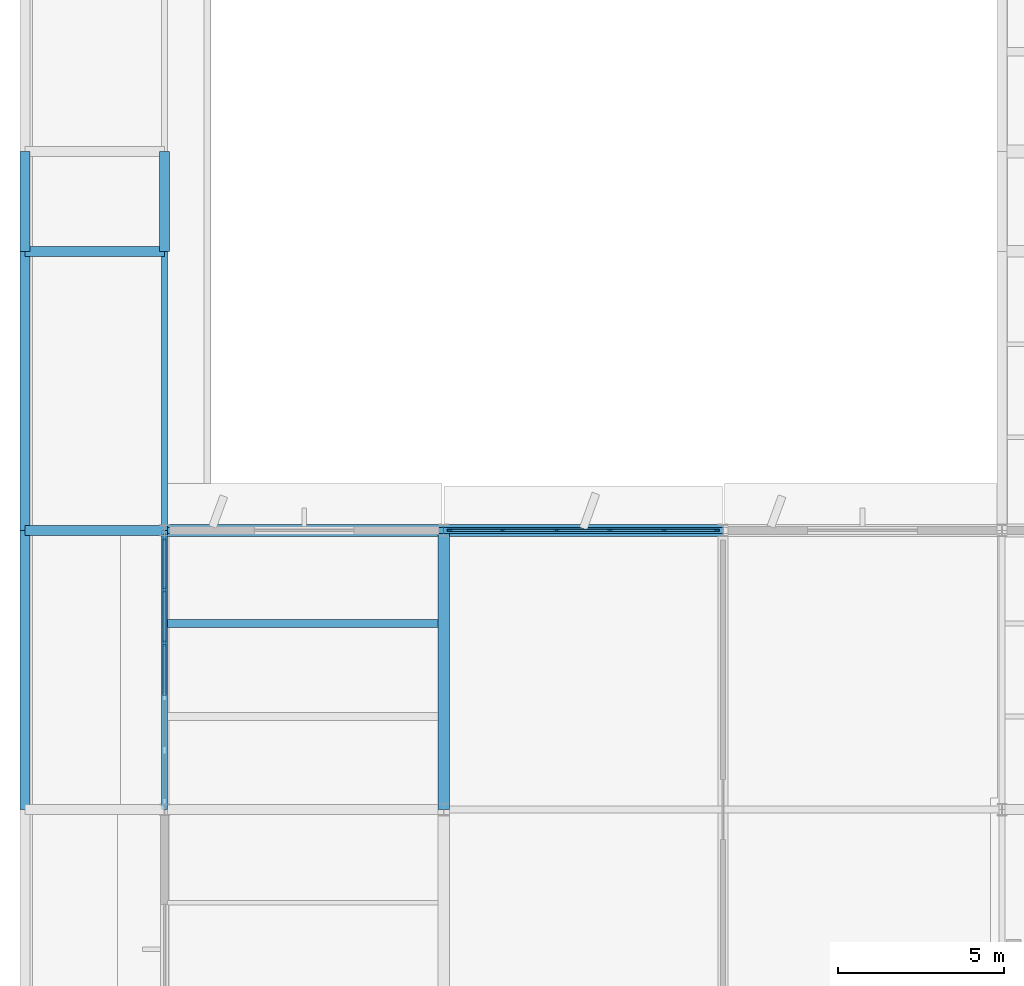
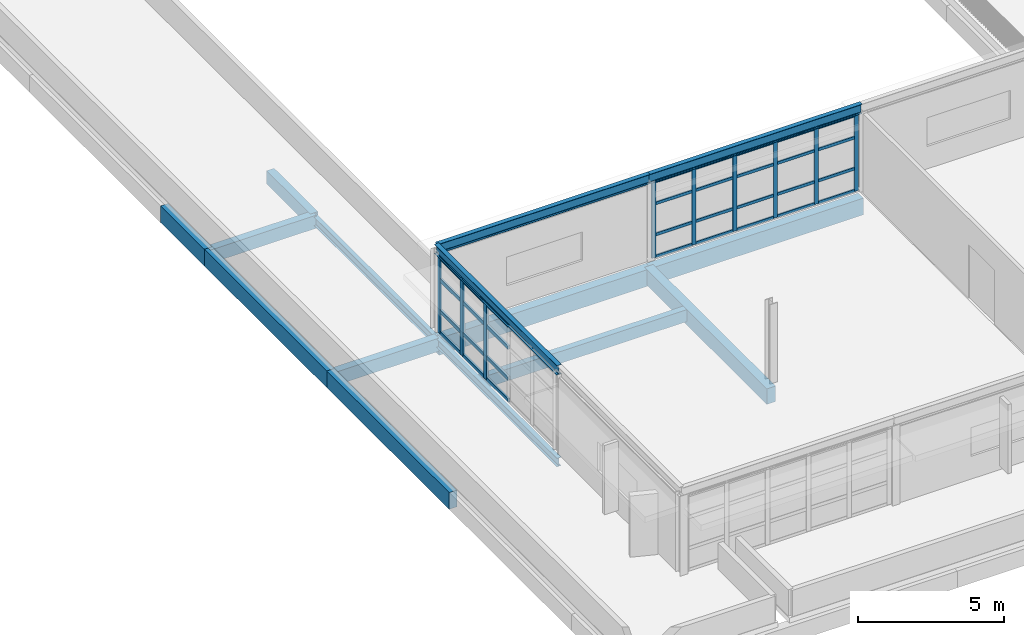
# One storey, part 6 of 92: 41 members, 15 beams, 2 elements without a shape of their own.
"""IFC4 building model written with IfcOpenShell, lengths in metres."""

import ifcopenshell
import ifcopenshell.guid

model = None  # the IFC model being written
_history = None  # IfcOwnerHistory: only IFC2X3 demands one
_inside = {}  # id of a spatial element -> (the spatial element, [elements in it])
_under = {}  # id of a project, library or spatial element -> (it, [spatial elements below it])
_declared = {}  # id of a project -> (the project, [libraries it declares])
_typed = {}  # id of a type object -> (the type object, [elements of that type])
_made_of = {}  # id of a material, layer set ... -> (it, [elements and type objects made of it])


def new_model(schema):
    """Start an empty IFC model of exactly this schema.

    Asked for "IFC4X3", IfcOpenShell would pick the latest addendum, in which some entities
    have other attributes; the version numbers below select the first issue.
    IFC2X3 requires an IfcOwnerHistory on every rooted entity: one is made here for all.
    """
    global model, _history
    if schema == "IFC4X3":
        model = ifcopenshell.file(schema_version=(4, 3, 0, 0))
    else:
        model = ifcopenshell.file(schema=schema)
    _inside.clear()
    _under.clear()
    _declared.clear()
    _typed.clear()
    _made_of.clear()
    _history = None
    if model.schema == "IFC2X3":
        org = make("IfcOrganization", Name="unknown")
        user = make(
            "IfcPersonAndOrganization",
            ThePerson=make("IfcPerson", FamilyName="unknown"),
            TheOrganization=org,
        )
        app = make(
            "IfcApplication",
            ApplicationDeveloper=org,
            Version="unknown",
            ApplicationFullName="unknown",
            ApplicationIdentifier="unknown",
        )
        _history = make(
            "IfcOwnerHistory",
            OwningUser=user,
            OwningApplication=app,
            ChangeAction="ADDED",
            CreationDate=0,
        )
    return model


def make(cls, **values):
    """One entity of the class cls with the attributes given. An attribute that is None is left unset."""
    return model.create_entity(
        cls, **{name: value for name, value in values.items() if value is not None}
    )


def rooted(cls, **values):
    """An entity with a GlobalId (a new one), such as an element, a storey or a relation."""
    return make(cls, GlobalId=ifcopenshell.guid.new(), OwnerHistory=_history, **values)


def si_unit(unit_type, name, prefix=None):
    """IfcSIUnit, for example si_unit("LENGTHUNIT", "METRE", prefix="MILLI")."""
    return make("IfcSIUnit", UnitType=unit_type, Prefix=prefix, Name=name)


def assignment(units):
    """IfcUnitAssignment: the units of a project."""
    return None if units is None else make("IfcUnitAssignment", Units=units)


def point(xyz):
    """IfcCartesianPoint."""
    return None if xyz is None else make("IfcCartesianPoint", Coordinates=xyz)


def direction(xyz):
    """IfcDirection."""
    return None if xyz is None else make("IfcDirection", DirectionRatios=xyz)


def frame(location, z_axis=None, x_axis=None):
    """IfcAxis2Placement3D, a coordinate frame: its origin and axes. An axis left out is left unset."""
    return make(
        "IfcAxis2Placement3D",
        Location=point(location),
        Axis=direction(z_axis),
        RefDirection=direction(x_axis),
    )


def frame_2d(location, x_axis=None):
    """IfcAxis2Placement2D, a coordinate frame in the plane: its origin and x axis."""
    return make(
        "IfcAxis2Placement2D", Location=point(location), RefDirection=direction(x_axis)
    )


def origin():
    """The frame at (0, 0, 0) with its axes left unset."""
    return frame((0.0, 0.0, 0.0))


def origin_2d():
    """The frame at (0, 0) in the plane with its x axis left unset."""
    return frame_2d((0.0, 0.0))


def place(relative_to, where):
    """IfcLocalPlacement: puts the frame where relative to a parent placement (None: the world)."""
    return make(
        "IfcLocalPlacement", PlacementRelTo=relative_to, RelativePlacement=where
    )


def context(
    kind, dimensions, precision=None, world=None, true_north=None, identifier=None
):
    """IfcGeometricRepresentationContext, for example the 3D "Model" context."""
    return make(
        "IfcGeometricRepresentationContext",
        ContextIdentifier=identifier,
        ContextType=kind,
        CoordinateSpaceDimension=dimensions,
        Precision=precision,
        WorldCoordinateSystem=world,
        TrueNorth=true_north,
    )


def subcontext(parent, identifier, kind, view, scale=None):
    """IfcGeometricRepresentationSubContext, for example "Body" below "Model"."""
    return make(
        "IfcGeometricRepresentationSubContext",
        ContextIdentifier=identifier,
        ContextType=kind,
        ParentContext=parent,
        TargetScale=scale,
        TargetView=view,
    )


def project(units=None, contexts=None):
    """IfcProject with its units and contexts."""
    return rooted(
        "IfcProject",
        Name="project",
        RepresentationContexts=contexts,
        UnitsInContext=assignment(units),
    )


def spatial(cls, under=None, at=None, **own):
    """A site, building, storey or space (cls), placed at a placement, below another one or the project."""
    s = rooted(cls, ObjectPlacement=at, **own)
    if under is not None:
        _under.setdefault(under.id(), (under, []))[1].append(s)
    return s


def profile(cls, at=None, kind="AREA", **sizes):
    """A parametric profile (cls). Its sizes go by their IFC names, for example OverallWidth=200.0."""
    return make(cls, ProfileType=kind, Position=at, **sizes)


def rectangle(**sizes):
    """IfcRectangleProfileDef."""
    return profile("IfcRectangleProfileDef", **sizes)


def i_section(**sizes):
    """IfcIShapeProfileDef."""
    return profile("IfcIShapeProfileDef", **sizes)


def extrude(swept, where, along, depth):
    """IfcExtrudedAreaSolid: the profile swept, set in the frame where, extruded along a direction by depth."""
    return make(
        "IfcExtrudedAreaSolid",
        SweptArea=swept,
        Position=where,
        ExtrudedDirection=direction(along),
        Depth=depth,
    )


def shape(context_of_items, identifier, shape_type, items):
    """IfcShapeRepresentation: the items that make up one representation, for example the "Body"."""
    return make(
        "IfcShapeRepresentation",
        ContextOfItems=context_of_items,
        RepresentationIdentifier=identifier,
        RepresentationType=shape_type,
        Items=items,
    )


def material(Name=None, Category=None):
    """IfcMaterial."""
    return make("IfcMaterial", Name=Name, Category=Category)


def material_profile(
    of_material, cross_section, Name=None, Category=None, Priority=None
):
    """IfcMaterialProfile: a cross section and its material."""
    return make(
        "IfcMaterialProfile",
        Name=Name,
        Material=of_material,
        Profile=cross_section,
        Priority=Priority,
        Category=Category,
    )


def profile_set(profiles, Name=None, composite=None):
    """IfcMaterialProfileSet."""
    return make(
        "IfcMaterialProfileSet",
        Name=Name,
        MaterialProfiles=profiles,
        CompositeProfile=composite,
    )


def made_of(thing, what):
    """Note that an element or type object is made of a material, layer set ...; save() writes the relation."""
    if what is not None:
        _made_of.setdefault(what.id(), (what, []))[1].append(thing)
    return thing


def type_object(cls, material=None, **own):
    """A type object (cls), such as IfcWallType, which elements share."""
    return made_of(rooted(cls, **own), material)


def element(
    cls,
    number,
    at=None,
    inside=None,
    cuts=None,
    type_object=None,
    material=None,
    context=None,
    identifier="Body",
    shape_type=None,
    held_by="IfcProductDefinitionShape",
    body=None,
    shapes=None,
    **own,
):
    """One element of the class cls, such as IfcWall. Its Tag is "e" and its number.

    at: its placement. inside: the storey or other place that contains it. cuts: it is an
    opening in that element (IfcRelVoidsElement). A single representation is given by context,
    identifier, shape_type and body (its items); several are given by shapes. held_by: the class
    of the entity that holds the representations. save() writes the other relations.
    """
    e = rooted(cls, Tag="e%d" % number, ObjectPlacement=at, **own)
    if body is not None:
        shapes = [shape(context, identifier, shape_type, body)]
    if shapes is not None:
        e.Representation = make(held_by, Representations=shapes)
    if inside is not None:
        _inside.setdefault(inside.id(), (inside, []))[1].append(e)
    if cuts is not None:
        rooted(
            "IfcRelVoidsElement", RelatingBuildingElement=cuts, RelatedOpeningElement=e
        )
    if type_object is not None:
        _typed.setdefault(type_object.id(), (type_object, []))[1].append(e)
    return made_of(e, material)


def aggregate(whole, parts):
    """IfcRelAggregates: a whole, such as a stair, and the parts it consists of."""
    return rooted("IfcRelAggregates", RelatingObject=whole, RelatedObjects=parts)


def save(model, path):
    """Write the relations noted so far, then the file.

    IfcRelAggregates (storeys below a building ...), IfcRelContainedInSpatialStructure (elements
    in a storey), IfcRelDefinesByType, IfcRelAssociatesMaterial and IfcRelDeclares: one each for
    every whole, place, type object, material and project.
    """
    for whole, parts in _under.values():
        aggregate(whole, parts)
    for where, things in _inside.values():
        rooted(
            "IfcRelContainedInSpatialStructure",
            RelatedElements=things,
            RelatingStructure=where,
        )
    for kind, things in _typed.values():
        rooted("IfcRelDefinesByType", RelatedObjects=things, RelatingType=kind)
    for what, things in _made_of.values():
        rooted("IfcRelAssociatesMaterial", RelatedObjects=things, RelatingMaterial=what)
    for by, libraries in _declared.values():
        rooted("IfcRelDeclares", RelatingContext=by, RelatedDefinitions=libraries)
    model.write(path)


model = new_model("IFC4")

# Units and contexts
model_context = context("Model", 3, precision=1e-05, world=origin(), true_north=direction((0.0, 1.0)))
body_context = subcontext(model_context, "Body", "Model", "MODEL_VIEW")
ifc_project = project(units=[si_unit("LENGTHUNIT", "METRE"), si_unit("AREAUNIT", "SQUARE_METRE"), si_unit("VOLUMEUNIT", "CUBIC_METRE"), si_unit("PLANEANGLEUNIT", "RADIAN"), si_unit("MASSUNIT", "GRAM", prefix="KILO")], contexts=[model_context])

# Site, building, storey
site_placement = place(None, origin())
site = spatial("IfcSite", under=ifc_project, at=site_placement, CompositionType="ELEMENT")
building_placement = place(site_placement, origin())
building = spatial("IfcBuilding", under=site, at=building_placement, Name="Vanh Quang Courtyard School", CompositionType="ELEMENT")
storey_placement = place(building_placement, frame((0.0, 0.0, 7.800048828125)))
storey = spatial("IfcBuildingStorey", under=building, at=storey_placement, Name="L02", CompositionType="ELEMENT", Elevation=7.800048828125)

# Beams
ifc_material_1 = material(Name="Concrete C35/45", Category="concrete")
ifc_material_profile_1 = material_profile(ifc_material_1, rectangle(XDim=0.300048828125, YDim=0.550048828125, at=origin_2d()), Name="RC-BM 300x550")
ifc_profile_set_1 = profile_set([ifc_material_profile_1], Name="Concrete C35/45")
beam_type_1 = type_object("IfcBeamType", Name="BM-RC-300x550", PredefinedType="BEAM", material=ifc_profile_set_1)
for number, where, z_axis, x_axis, name in (
    (1, (0.0, 21.0, -0.554931640625), (1.0, 0.0, 0.0), (0.0, 1.0, 0.0), "Beam B-07 (L02)"),
    (2, (0.0, 29.39990234375, -0.4951171875), (1.0, 0.0, 0.0), (0.0, 1.0, 0.0), "Beam B-07 (L02)"),
):
    element("IfcBeam", number, at=place(storey_placement, frame(where, z_axis=z_axis, x_axis=x_axis)), inside=storey, type_object=beam_type_1, Name=name, PredefinedType="BEAM", context=body_context, shape_type="SweptSolid", body=[
        extrude(rectangle(XDim=0.300048828125, YDim=0.550048828125, at=origin_2d()), origin(), (0.0, 0.0, 1.0), 4.199951171875),
    ])
beam_1_placement = place(storey_placement, frame((4.199951171875, 29.39990234375, -0.4951171875), z_axis=(0.0, 1.0, 0.0), x_axis=(-1.0, 0.0, 0.0)))
element("IfcBeam", 3, at=beam_1_placement, inside=storey, type_object=beam_type_1, Name="Beam B-07 (L02)", PredefinedType="BEAM", context=body_context, shape_type="SweptSolid", body=[
    extrude(rectangle(XDim=0.300048828125, YDim=0.550048828125, at=origin_2d()), origin(), (0.0, 0.0, 1.0), 3.0),
])
ifc_material_profile_2 = material_profile(ifc_material_1, rectangle(XDim=0.35009765625, YDim=0.64990234375, at=origin_2d()), Name="RC-BM 350x650")
ifc_profile_set_2 = profile_set([ifc_material_profile_2], Name="Concrete C35/45")
beam_type_2 = type_object("IfcBeamType", Name="BM-RC-350x650", PredefinedType="BEAM", material=ifc_profile_set_2)
beam_2_placement = place(storey_placement, frame((12.60009765625, 12.60009765625, -0.60498046875), z_axis=(0.0, 1.0, 0.0), x_axis=(-1.0, 0.0, 0.0)))
element("IfcBeam", 4, at=beam_2_placement, inside=storey, type_object=beam_type_2, Name="Beam B-05 (L02)", PredefinedType="BEAM", context=body_context, shape_type="SweptSolid", body=[
    extrude(rectangle(XDim=0.35009765625, YDim=0.64990234375, at=origin_2d()), origin(), (0.0, 0.0, 1.0), 8.39990234375),
])
ifc_material_profile_3 = material_profile(ifc_material_1, rectangle(XDim=0.35009765625, YDim=0.699951171875, at=origin_2d()), Name="RC-BM 350x700")
ifc_profile_set_3 = profile_set([ifc_material_profile_3], Name="Concrete C35/45")
beam_type_3 = type_object("IfcBeamType", Name="BM-RC-350x700", PredefinedType="BEAM", material=ifc_profile_set_3)
beam_3_placement = place(storey_placement, frame((4.199951171875, 21.0, -0.630126953125), z_axis=(1.0, 0.0, 0.0), x_axis=(0.0, 1.0, 0.0)))
element("IfcBeam", 5, at=beam_3_placement, inside=storey, type_object=beam_type_3, Name="Beam B-04 (L02)", PredefinedType="BEAM", context=body_context, shape_type="SweptSolid", body=[
    extrude(rectangle(XDim=0.35009765625, YDim=0.699951171875, at=origin_2d()), origin(), (0.0, 0.0, 1.0), 8.400146484375),
])
beam_4_placement = place(storey_placement, frame((12.60009765625, 21.0, -0.630126953125), z_axis=(1.0, 0.0, 0.0), x_axis=(0.0, 1.0, 0.0)))
element("IfcBeam", 6, at=beam_4_placement, inside=storey, type_object=beam_type_3, Name="Beam B-04 (L02)", PredefinedType="BEAM", context=body_context, shape_type="SweptSolid", body=[
    extrude(rectangle(XDim=0.35009765625, YDim=0.699951171875, at=origin_2d()), origin(), (0.0, 0.0, 1.0), 8.39990234375),
])
ifc_material_profile_4 = material_profile(ifc_material_1, rectangle(XDim=0.300048828125, YDim=0.699951171875, at=origin_2d()), Name="RC-SP 300x700")
ifc_profile_set_4 = profile_set([ifc_material_profile_4], Name="Concrete C35/45")
beam_type_4 = type_object("IfcBeamType", Name="BM-SP-300x700", PredefinedType="SPANDREL", material=ifc_profile_set_4)
for number, where, z_axis, x_axis, name in (
    (7, (0.0, 12.60009765625, -0.570068359375), (0.0, 1.0, 0.0), (-1.0, 0.0, 0.0), "Beam BS-01 (L02)"),
    (8, (0.0, 21.0, -0.570068359375), (0.0, 1.0, 0.0), (-1.0, 0.0, 0.0), "Beam BS-01 (L02)"),
):
    element("IfcBeam", number, at=place(storey_placement, frame(where, z_axis=z_axis, x_axis=x_axis)), inside=storey, type_object=beam_type_4, Name=name, PredefinedType="SPANDREL", context=body_context, shape_type="SweptSolid", body=[
        extrude(rectangle(XDim=0.300048828125, YDim=0.699951171875, at=origin_2d()), origin(), (0.0, 0.0, 1.0), 8.39990234375),
    ])
beam_5_placement = place(storey_placement, frame((0.0, 29.39990234375, -0.570068359375), z_axis=(0.0, 1.0, 0.0), x_axis=(-1.0, 0.0, 0.0)))
element("IfcBeam", 9, at=beam_5_placement, inside=storey, type_object=beam_type_4, Name="Beam BS-01 (L02)", PredefinedType="SPANDREL", context=body_context, shape_type="SweptSolid", body=[
    extrude(rectangle(XDim=0.300048828125, YDim=0.699951171875, at=origin_2d()), origin(), (0.0, 0.0, 1.0), 3.0),
])
ifc_material_2 = material(Name="Structural steel EN 10025-2 S355J2", Category="steel")
ifc_material_profile_5 = material_profile(ifc_material_2, i_section(OverallWidth=0.169921875, OverallDepth=0.360107421875, WebThickness=0.008056640625, FlangeThickness=0.0126953125, FilletRadius=0.01806640625, at=origin_2d()), Name="IPE 360")
ifc_profile_set_5 = profile_set([ifc_material_profile_5], Name="Structural steel EN 10025-2 S355J2")
beam_type_5 = type_object("IfcBeamType", Name="BM-STL-IPE360", PredefinedType="BEAM", material=ifc_profile_set_5)
for number, where, z_axis, x_axis, name in (
    (10, (4.199951171875, 12.60009765625, -0.4599609375), (0.0, 1.0, 0.0), (-1.0, 0.0, 0.0), "Beam SB-06 (L02)"),
    (11, (4.199951171875, 21.0, -0.4599609375), (0.0, 1.0, 0.0), (-1.0, 0.0, 0.0), "Beam SB-06 (L02)"),
):
    element("IfcBeam", number, at=place(storey_placement, frame(where, z_axis=z_axis, x_axis=x_axis)), inside=storey, type_object=beam_type_5, Name=name, PredefinedType="BEAM", context=body_context, shape_type="SweptSolid", body=[
        extrude(i_section(OverallWidth=0.169921875, OverallDepth=0.360107421875, WebThickness=0.008056640625, FlangeThickness=0.0126953125, FilletRadius=0.01806640625, at=origin_2d()), origin(), (0.0, 0.0, 1.0), 8.39990234375),
    ])
ifc_material_profile_6 = material_profile(ifc_material_2, i_section(OverallWidth=0.179931640625, OverallDepth=0.39990234375, WebThickness=0.008544921875, FlangeThickness=0.013427734375, FilletRadius=0.02099609375, at=origin_2d()), Name="IPE 400")
ifc_profile_set_6 = profile_set([ifc_material_profile_6], Name="Structural steel EN 10025-2 S355J2")
beam_type_6 = type_object("IfcBeamType", Name="BM-STL-IPE400", PredefinedType="BEAM", material=ifc_profile_set_6)
beam_6_placement = place(storey_placement, frame((4.199951171875, 21.0, 3.39990234375), z_axis=(1.0, 0.0, 0.0), x_axis=(0.0, 1.0, 0.0)))
element("IfcBeam", 12, at=beam_6_placement, inside=storey, type_object=beam_type_6, Name="Beam SB-05 (L02)", PredefinedType="BEAM", context=body_context, shape_type="SweptSolid", body=[
    extrude(i_section(OverallWidth=0.179931640625, OverallDepth=0.39990234375, WebThickness=0.008544921875, FlangeThickness=0.013427734375, FilletRadius=0.02099609375, at=origin_2d()), origin(), (0.0, 0.0, 1.0), 8.400146484375),
])
for number, where, z_axis, x_axis, name in (
    (13, (12.60009765625, 21.0, 3.39990234375), (1.0, 0.0, 0.0), (0.0, 1.0, 0.0), "Beam SB-05 (L02)"),
    (14, (4.199951171875, 12.60009765625, 3.39990234375), (0.0, 1.0, 0.0), (-1.0, 0.0, 0.0), "Beam SB-05 (L02)"),
):
    element("IfcBeam", number, at=place(storey_placement, frame(where, z_axis=z_axis, x_axis=x_axis)), inside=storey, type_object=beam_type_6, Name=name, PredefinedType="BEAM", context=body_context, shape_type="SweptSolid", body=[
        extrude(i_section(OverallWidth=0.179931640625, OverallDepth=0.39990234375, WebThickness=0.008544921875, FlangeThickness=0.013427734375, FilletRadius=0.02099609375, at=origin_2d()), origin(), (0.0, 0.0, 1.0), 8.39990234375),
    ])

# Curtain wall, members
ifc_material_3 = material(Name="Thermally broken aluminium unitised curtain wall", Category="aluminium")
curtain_wall_type = type_object("IfcCurtainWallType", Name="CW-SYS-46", PredefinedType="NOTDEFINED", material=ifc_material_3)
curtain_wall_1_placement = place(storey_placement, origin())
curtain_wall_1 = element("IfcCurtainWall", 15, at=curtain_wall_1_placement, inside=storey, type_object=curtain_wall_type, Name="Curtain Wall CW-46 (L02)", PredefinedType="NOTDEFINED")
ifc_material_4 = material(Name="Anodised aluminium 6063-T6", Category="aluminium")
ifc_material_profile_7 = material_profile(ifc_material_4, rectangle(XDim=0.06005859375, YDim=0.159912109375, at=origin_2d()), Name="ALU-MUL 60x160")
ifc_profile_set_7 = profile_set([ifc_material_profile_7], Name="Anodised aluminium 6063-T6")
member_type_1 = type_object("IfcMemberType", Name="CW-MUL-60x160", PredefinedType="MULLION", material=ifc_profile_set_7)
member_1_placement = place(storey_placement, frame((12.7880859375, 21.0, 0.0), z_axis=(0.0, 0.0, 1.0), x_axis=(0.0, 1.0, 0.0)))
member_1 = element("IfcMember", 16, at=member_1_placement, type_object=member_type_1, Name="CW-46 mullion 1", PredefinedType="MULLION", context=body_context, shape_type="SweptSolid", body=[
    extrude(rectangle(XDim=0.06005859375, YDim=0.159912109375, at=origin_2d()), origin(), (0.0, 0.0, 1.0), 3.199951171875),
])
member_2_placement = place(storey_placement, frame((14.374755859375, 21.0, 0.0), z_axis=(0.0, 0.0, 1.0), x_axis=(0.0, 1.0, 0.0)))
member_2 = element("IfcMember", 17, at=member_2_placement, type_object=member_type_1, Name="CW-46 mullion 2", PredefinedType="MULLION", context=body_context, shape_type="SweptSolid", body=[
    extrude(rectangle(XDim=0.06005859375, YDim=0.159912109375, at=origin_2d()), origin(), (0.0, 0.0, 1.0), 3.199951171875),
])
member_3_placement = place(storey_placement, frame((15.99169921875, 21.0, 0.0), z_axis=(0.0, 0.0, 1.0), x_axis=(0.0, 1.0, 0.0)))
member_3 = element("IfcMember", 18, at=member_3_placement, type_object=member_type_1, Name="CW-46 mullion 3", PredefinedType="MULLION", context=body_context, shape_type="SweptSolid", body=[
    extrude(rectangle(XDim=0.06005859375, YDim=0.159912109375, at=origin_2d()), origin(), (0.0, 0.0, 1.0), 3.199951171875),
])
member_4_placement = place(storey_placement, frame((17.6083984375, 21.0, 0.0), z_axis=(0.0, 0.0, 1.0), x_axis=(0.0, 1.0, 0.0)))
member_4 = element("IfcMember", 19, at=member_4_placement, type_object=member_type_1, Name="CW-46 mullion 4", PredefinedType="MULLION", context=body_context, shape_type="SweptSolid", body=[
    extrude(rectangle(XDim=0.06005859375, YDim=0.159912109375, at=origin_2d()), origin(), (0.0, 0.0, 1.0), 3.199951171875),
])
member_5_placement = place(storey_placement, frame((19.22509765625, 21.0, 0.0), z_axis=(0.0, 0.0, 1.0), x_axis=(0.0, 1.0, 0.0)))
member_5 = element("IfcMember", 20, at=member_5_placement, type_object=member_type_1, Name="CW-46 mullion 5", PredefinedType="MULLION", context=body_context, shape_type="SweptSolid", body=[
    extrude(rectangle(XDim=0.06005859375, YDim=0.159912109375, at=origin_2d()), origin(), (0.0, 0.0, 1.0), 3.199951171875),
])
member_6_placement = place(storey_placement, frame((20.81201171875, 21.0, 0.0), z_axis=(0.0, 0.0, 1.0), x_axis=(0.0, 1.0, 0.0)))
member_6 = element("IfcMember", 21, at=member_6_placement, type_object=member_type_1, Name="CW-46 mullion 6", PredefinedType="MULLION", context=body_context, shape_type="SweptSolid", body=[
    extrude(rectangle(XDim=0.06005859375, YDim=0.159912109375, at=origin_2d()), origin(), (0.0, 0.0, 1.0), 3.199951171875),
])

curtain_wall_2_placement = place(storey_placement, origin())
curtain_wall_2 = element("IfcCurtainWall", 22, at=curtain_wall_2_placement, inside=storey, type_object=curtain_wall_type, Name="Curtain Wall CW-46 (L02)", PredefinedType="NOTDEFINED")
ifc_material_profile_8 = material_profile(ifc_material_4, rectangle(XDim=0.080078125, YDim=0.199951171875, at=origin_2d()), Name="ALU-MUL 80x200")
ifc_profile_set_8 = profile_set([ifc_material_profile_8], Name="Anodised aluminium 6063-T6")
member_type_2 = type_object("IfcMemberType", Name="CW-MUL-80x200", PredefinedType="MULLION", material=ifc_profile_set_8)
member_7_placement = place(storey_placement, frame((4.199951171875, 17.60546875, 0.0), z_axis=(0.0, 0.0, 1.0), x_axis=(-1.0, 0.0, 0.0)))
member_7 = element("IfcMember", 23, at=member_7_placement, type_object=member_type_2, Name="CW-46 mullion 4", PredefinedType="MULLION", context=body_context, shape_type="SweptSolid", body=[
    extrude(rectangle(XDim=0.080078125, YDim=0.199951171875, at=origin_2d()), origin(), (0.0, 0.0, 1.0), 3.199951171875),
])
member_8_placement = place(storey_placement, frame((4.199951171875, 19.21630859375, 0.0), z_axis=(0.0, 0.0, 1.0), x_axis=(-1.0, 0.0, 0.0)))
member_8 = element("IfcMember", 24, at=member_8_placement, type_object=member_type_2, Name="CW-46 mullion 5", PredefinedType="MULLION", context=body_context, shape_type="SweptSolid", body=[
    extrude(rectangle(XDim=0.080078125, YDim=0.199951171875, at=origin_2d()), origin(), (0.0, 0.0, 1.0), 3.199951171875),
])
member_9_placement = place(storey_placement, frame((4.199951171875, 20.787109375, 0.0), z_axis=(0.0, 0.0, 1.0), x_axis=(-1.0, 0.0, 0.0)))
member_9 = element("IfcMember", 25, at=member_9_placement, type_object=member_type_2, Name="CW-46 mullion 6", PredefinedType="MULLION", context=body_context, shape_type="SweptSolid", body=[
    extrude(rectangle(XDim=0.080078125, YDim=0.199951171875, at=origin_2d()), origin(), (0.0, 0.0, 1.0), 3.199951171875),
])

# Member
ifc_material_profile_9 = material_profile(ifc_material_4, rectangle(XDim=0.06005859375, YDim=0.1201171875, at=origin_2d()), Name="ALU-TRN 60x120")
ifc_profile_set_9 = profile_set([ifc_material_profile_9], Name="Anodised aluminium 6063-T6")
member_type_3 = type_object("IfcMemberType", Name="CW-TRN-60x120", PredefinedType="USERDEFINED", material=ifc_profile_set_9)
member_10_placement = place(storey_placement, frame((12.818115234375, 21.0, 0.030029296875), z_axis=(1.0, 0.0, 0.0), x_axis=(0.0, 1.0, 0.0)))
member_10 = element("IfcMember", 26, at=member_10_placement, type_object=member_type_3, Name="CW-46 transom 1.1", ObjectType="TRANSOM", PredefinedType="USERDEFINED", context=body_context, shape_type="SweptSolid", body=[
    extrude(rectangle(XDim=0.06005859375, YDim=0.1201171875, at=origin_2d()), origin(), (0.0, 0.0, 1.0), 1.526611328125),
])

member_11_placement = place(storey_placement, frame((12.818115234375, 21.0, 0.949951171875), z_axis=(1.0, 0.0, 0.0), x_axis=(0.0, 1.0, 0.0)))
member_11 = element("IfcMember", 27, at=member_11_placement, type_object=member_type_3, Name="CW-46 transom 1.2", ObjectType="TRANSOM", PredefinedType="USERDEFINED", context=body_context, shape_type="SweptSolid", body=[
    extrude(rectangle(XDim=0.06005859375, YDim=0.1201171875, at=origin_2d()), origin(), (0.0, 0.0, 1.0), 1.526611328125),
])

member_12_placement = place(storey_placement, frame((12.818115234375, 21.0, 2.25), z_axis=(1.0, 0.0, 0.0), x_axis=(0.0, 1.0, 0.0)))
member_12 = element("IfcMember", 28, at=member_12_placement, type_object=member_type_3, Name="CW-46 transom 1.3", ObjectType="TRANSOM", PredefinedType="USERDEFINED", context=body_context, shape_type="SweptSolid", body=[
    extrude(rectangle(XDim=0.06005859375, YDim=0.1201171875, at=origin_2d()), origin(), (0.0, 0.0, 1.0), 1.526611328125),
])

member_13_placement = place(storey_placement, frame((12.818115234375, 21.0, 3.169921875), z_axis=(1.0, 0.0, 0.0), x_axis=(0.0, 1.0, 0.0)))
member_13 = element("IfcMember", 29, at=member_13_placement, type_object=member_type_3, Name="CW-46 transom 1.4", ObjectType="TRANSOM", PredefinedType="USERDEFINED", context=body_context, shape_type="SweptSolid", body=[
    extrude(rectangle(XDim=0.06005859375, YDim=0.1201171875, at=origin_2d()), origin(), (0.0, 0.0, 1.0), 1.526611328125),
])

member_14_placement = place(storey_placement, frame((14.40478515625, 21.0, 0.030029296875), z_axis=(1.0, 0.0, 0.0), x_axis=(0.0, 1.0, 0.0)))
member_14 = element("IfcMember", 30, at=member_14_placement, type_object=member_type_3, Name="CW-46 transom 2.1", ObjectType="TRANSOM", PredefinedType="USERDEFINED", context=body_context, shape_type="SweptSolid", body=[
    extrude(rectangle(XDim=0.06005859375, YDim=0.1201171875, at=origin_2d()), origin(), (0.0, 0.0, 1.0), 1.556884765625),
])

member_15_placement = place(storey_placement, frame((14.40478515625, 21.0, 0.949951171875), z_axis=(1.0, 0.0, 0.0), x_axis=(0.0, 1.0, 0.0)))
member_15 = element("IfcMember", 31, at=member_15_placement, type_object=member_type_3, Name="CW-46 transom 2.2", ObjectType="TRANSOM", PredefinedType="USERDEFINED", context=body_context, shape_type="SweptSolid", body=[
    extrude(rectangle(XDim=0.06005859375, YDim=0.1201171875, at=origin_2d()), origin(), (0.0, 0.0, 1.0), 1.556884765625),
])

member_16_placement = place(storey_placement, frame((14.40478515625, 21.0, 2.25), z_axis=(1.0, 0.0, 0.0), x_axis=(0.0, 1.0, 0.0)))
member_16 = element("IfcMember", 32, at=member_16_placement, type_object=member_type_3, Name="CW-46 transom 2.3", ObjectType="TRANSOM", PredefinedType="USERDEFINED", context=body_context, shape_type="SweptSolid", body=[
    extrude(rectangle(XDim=0.06005859375, YDim=0.1201171875, at=origin_2d()), origin(), (0.0, 0.0, 1.0), 1.556884765625),
])

member_17_placement = place(storey_placement, frame((14.40478515625, 21.0, 3.169921875), z_axis=(1.0, 0.0, 0.0), x_axis=(0.0, 1.0, 0.0)))
member_17 = element("IfcMember", 33, at=member_17_placement, type_object=member_type_3, Name="CW-46 transom 2.4", ObjectType="TRANSOM", PredefinedType="USERDEFINED", context=body_context, shape_type="SweptSolid", body=[
    extrude(rectangle(XDim=0.06005859375, YDim=0.1201171875, at=origin_2d()), origin(), (0.0, 0.0, 1.0), 1.556884765625),
])

member_18_placement = place(storey_placement, frame((16.021484375, 21.0, 0.030029296875), z_axis=(1.0, 0.0, 0.0), x_axis=(0.0, 1.0, 0.0)))
member_18 = element("IfcMember", 34, at=member_18_placement, type_object=member_type_3, Name="CW-46 transom 3.1", ObjectType="TRANSOM", PredefinedType="USERDEFINED", context=body_context, shape_type="SweptSolid", body=[
    extrude(rectangle(XDim=0.06005859375, YDim=0.1201171875, at=origin_2d()), origin(), (0.0, 0.0, 1.0), 1.556884765625),
])

member_19_placement = place(storey_placement, frame((16.021484375, 21.0, 0.949951171875), z_axis=(1.0, 0.0, 0.0), x_axis=(0.0, 1.0, 0.0)))
member_19 = element("IfcMember", 35, at=member_19_placement, type_object=member_type_3, Name="CW-46 transom 3.2", ObjectType="TRANSOM", PredefinedType="USERDEFINED", context=body_context, shape_type="SweptSolid", body=[
    extrude(rectangle(XDim=0.06005859375, YDim=0.1201171875, at=origin_2d()), origin(), (0.0, 0.0, 1.0), 1.556884765625),
])

member_20_placement = place(storey_placement, frame((16.021484375, 21.0, 2.25), z_axis=(1.0, 0.0, 0.0), x_axis=(0.0, 1.0, 0.0)))
member_20 = element("IfcMember", 36, at=member_20_placement, type_object=member_type_3, Name="CW-46 transom 3.3", ObjectType="TRANSOM", PredefinedType="USERDEFINED", context=body_context, shape_type="SweptSolid", body=[
    extrude(rectangle(XDim=0.06005859375, YDim=0.1201171875, at=origin_2d()), origin(), (0.0, 0.0, 1.0), 1.556884765625),
])

member_21_placement = place(storey_placement, frame((16.021484375, 21.0, 3.169921875), z_axis=(1.0, 0.0, 0.0), x_axis=(0.0, 1.0, 0.0)))
member_21 = element("IfcMember", 37, at=member_21_placement, type_object=member_type_3, Name="CW-46 transom 3.4", ObjectType="TRANSOM", PredefinedType="USERDEFINED", context=body_context, shape_type="SweptSolid", body=[
    extrude(rectangle(XDim=0.06005859375, YDim=0.1201171875, at=origin_2d()), origin(), (0.0, 0.0, 1.0), 1.556884765625),
])

member_22_placement = place(storey_placement, frame((17.638427734375, 21.0, 0.030029296875), z_axis=(1.0, 0.0, 0.0), x_axis=(0.0, 1.0, 0.0)))
member_22 = element("IfcMember", 38, at=member_22_placement, type_object=member_type_3, Name="CW-46 transom 4.1", ObjectType="TRANSOM", PredefinedType="USERDEFINED", context=body_context, shape_type="SweptSolid", body=[
    extrude(rectangle(XDim=0.06005859375, YDim=0.1201171875, at=origin_2d()), origin(), (0.0, 0.0, 1.0), 1.556884765625),
])

member_23_placement = place(storey_placement, frame((17.638427734375, 21.0, 0.949951171875), z_axis=(1.0, 0.0, 0.0), x_axis=(0.0, 1.0, 0.0)))
member_23 = element("IfcMember", 39, at=member_23_placement, type_object=member_type_3, Name="CW-46 transom 4.2", ObjectType="TRANSOM", PredefinedType="USERDEFINED", context=body_context, shape_type="SweptSolid", body=[
    extrude(rectangle(XDim=0.06005859375, YDim=0.1201171875, at=origin_2d()), origin(), (0.0, 0.0, 1.0), 1.556884765625),
])

member_24_placement = place(storey_placement, frame((17.638427734375, 21.0, 2.25), z_axis=(1.0, 0.0, 0.0), x_axis=(0.0, 1.0, 0.0)))
member_24 = element("IfcMember", 40, at=member_24_placement, type_object=member_type_3, Name="CW-46 transom 4.3", ObjectType="TRANSOM", PredefinedType="USERDEFINED", context=body_context, shape_type="SweptSolid", body=[
    extrude(rectangle(XDim=0.06005859375, YDim=0.1201171875, at=origin_2d()), origin(), (0.0, 0.0, 1.0), 1.556884765625),
])

member_25_placement = place(storey_placement, frame((17.638427734375, 21.0, 3.169921875), z_axis=(1.0, 0.0, 0.0), x_axis=(0.0, 1.0, 0.0)))
member_25 = element("IfcMember", 41, at=member_25_placement, type_object=member_type_3, Name="CW-46 transom 4.4", ObjectType="TRANSOM", PredefinedType="USERDEFINED", context=body_context, shape_type="SweptSolid", body=[
    extrude(rectangle(XDim=0.06005859375, YDim=0.1201171875, at=origin_2d()), origin(), (0.0, 0.0, 1.0), 1.556884765625),
])

member_26_placement = place(storey_placement, frame((19.255126953125, 21.0, 0.030029296875), z_axis=(1.0, 0.0, 0.0), x_axis=(0.0, 1.0, 0.0)))
member_26 = element("IfcMember", 42, at=member_26_placement, type_object=member_type_3, Name="CW-46 transom 5.1", ObjectType="TRANSOM", PredefinedType="USERDEFINED", context=body_context, shape_type="SweptSolid", body=[
    extrude(rectangle(XDim=0.06005859375, YDim=0.1201171875, at=origin_2d()), origin(), (0.0, 0.0, 1.0), 1.52685546875),
])

member_27_placement = place(storey_placement, frame((19.255126953125, 21.0, 0.949951171875), z_axis=(1.0, 0.0, 0.0), x_axis=(0.0, 1.0, 0.0)))
member_27 = element("IfcMember", 43, at=member_27_placement, type_object=member_type_3, Name="CW-46 transom 5.2", ObjectType="TRANSOM", PredefinedType="USERDEFINED", context=body_context, shape_type="SweptSolid", body=[
    extrude(rectangle(XDim=0.06005859375, YDim=0.1201171875, at=origin_2d()), origin(), (0.0, 0.0, 1.0), 1.52685546875),
])

member_28_placement = place(storey_placement, frame((19.255126953125, 21.0, 2.25), z_axis=(1.0, 0.0, 0.0), x_axis=(0.0, 1.0, 0.0)))
member_28 = element("IfcMember", 44, at=member_28_placement, type_object=member_type_3, Name="CW-46 transom 5.3", ObjectType="TRANSOM", PredefinedType="USERDEFINED", context=body_context, shape_type="SweptSolid", body=[
    extrude(rectangle(XDim=0.06005859375, YDim=0.1201171875, at=origin_2d()), origin(), (0.0, 0.0, 1.0), 1.52685546875),
])

member_29_placement = place(storey_placement, frame((19.255126953125, 21.0, 3.169921875), z_axis=(1.0, 0.0, 0.0), x_axis=(0.0, 1.0, 0.0)))
member_29 = element("IfcMember", 45, at=member_29_placement, type_object=member_type_3, Name="CW-46 transom 5.4", ObjectType="TRANSOM", PredefinedType="USERDEFINED", context=body_context, shape_type="SweptSolid", body=[
    extrude(rectangle(XDim=0.06005859375, YDim=0.1201171875, at=origin_2d()), origin(), (0.0, 0.0, 1.0), 1.52685546875),
])

aggregate(curtain_wall_1, [member_1, member_2, member_3, member_4, member_5, member_6, member_10, member_11, member_12, member_13, member_14, member_15, member_16, member_17, member_18, member_19, member_20, member_21, member_22, member_23, member_24, member_25, member_26, member_27, member_28, member_29])

ifc_material_profile_10 = material_profile(ifc_material_4, rectangle(XDim=0.080078125, YDim=0.14990234375, at=origin_2d()), Name="ALU-TRN 80x150")
ifc_profile_set_10 = profile_set([ifc_material_profile_10], Name="Anodised aluminium 6063-T6")
member_type_4 = type_object("IfcMemberType", Name="CW-TRN-80x150", PredefinedType="USERDEFINED", material=ifc_profile_set_10)
member_30_placement = place(storey_placement, frame((4.199951171875, 16.03466796875, 0.0400390625), z_axis=(0.0, 1.0, 0.0), x_axis=(-1.0, 0.0, 0.0)))
member_30 = element("IfcMember", 46, at=member_30_placement, type_object=member_type_4, Name="CW-46 transom 3.1", ObjectType="TRANSOM", PredefinedType="USERDEFINED", context=body_context, shape_type="SweptSolid", body=[
    extrude(rectangle(XDim=0.080078125, YDim=0.14990234375, at=origin_2d()), origin(), (0.0, 0.0, 1.0), 1.53076171875),
])

member_31_placement = place(storey_placement, frame((4.199951171875, 16.03466796875, 0.949951171875), z_axis=(0.0, 1.0, 0.0), x_axis=(-1.0, 0.0, 0.0)))
member_31 = element("IfcMember", 47, at=member_31_placement, type_object=member_type_4, Name="CW-46 transom 3.2", ObjectType="TRANSOM", PredefinedType="USERDEFINED", context=body_context, shape_type="SweptSolid", body=[
    extrude(rectangle(XDim=0.080078125, YDim=0.14990234375, at=origin_2d()), origin(), (0.0, 0.0, 1.0), 1.53076171875),
])

member_32_placement = place(storey_placement, frame((4.199951171875, 16.03466796875, 2.25), z_axis=(0.0, 1.0, 0.0), x_axis=(-1.0, 0.0, 0.0)))
member_32 = element("IfcMember", 48, at=member_32_placement, type_object=member_type_4, Name="CW-46 transom 3.3", ObjectType="TRANSOM", PredefinedType="USERDEFINED", context=body_context, shape_type="SweptSolid", body=[
    extrude(rectangle(XDim=0.080078125, YDim=0.14990234375, at=origin_2d()), origin(), (0.0, 0.0, 1.0), 1.53076171875),
])

member_33_placement = place(storey_placement, frame((4.199951171875, 16.03466796875, 3.159912109375), z_axis=(0.0, 1.0, 0.0), x_axis=(-1.0, 0.0, 0.0)))
member_33 = element("IfcMember", 49, at=member_33_placement, type_object=member_type_4, Name="CW-46 transom 3.4", ObjectType="TRANSOM", PredefinedType="USERDEFINED", context=body_context, shape_type="SweptSolid", body=[
    extrude(rectangle(XDim=0.080078125, YDim=0.14990234375, at=origin_2d()), origin(), (0.0, 0.0, 1.0), 1.53076171875),
])

member_34_placement = place(storey_placement, frame((4.199951171875, 17.6455078125, 0.0400390625), z_axis=(0.0, 1.0, 0.0), x_axis=(-1.0, 0.0, 0.0)))
member_34 = element("IfcMember", 50, at=member_34_placement, type_object=member_type_4, Name="CW-46 transom 4.1", ObjectType="TRANSOM", PredefinedType="USERDEFINED", context=body_context, shape_type="SweptSolid", body=[
    extrude(rectangle(XDim=0.080078125, YDim=0.14990234375, at=origin_2d()), origin(), (0.0, 0.0, 1.0), 1.53076171875),
])

member_35_placement = place(storey_placement, frame((4.199951171875, 17.6455078125, 0.949951171875), z_axis=(0.0, 1.0, 0.0), x_axis=(-1.0, 0.0, 0.0)))
member_35 = element("IfcMember", 51, at=member_35_placement, type_object=member_type_4, Name="CW-46 transom 4.2", ObjectType="TRANSOM", PredefinedType="USERDEFINED", context=body_context, shape_type="SweptSolid", body=[
    extrude(rectangle(XDim=0.080078125, YDim=0.14990234375, at=origin_2d()), origin(), (0.0, 0.0, 1.0), 1.53076171875),
])

member_36_placement = place(storey_placement, frame((4.199951171875, 17.6455078125, 2.25), z_axis=(0.0, 1.0, 0.0), x_axis=(-1.0, 0.0, 0.0)))
member_36 = element("IfcMember", 52, at=member_36_placement, type_object=member_type_4, Name="CW-46 transom 4.3", ObjectType="TRANSOM", PredefinedType="USERDEFINED", context=body_context, shape_type="SweptSolid", body=[
    extrude(rectangle(XDim=0.080078125, YDim=0.14990234375, at=origin_2d()), origin(), (0.0, 0.0, 1.0), 1.53076171875),
])

member_37_placement = place(storey_placement, frame((4.199951171875, 17.6455078125, 3.159912109375), z_axis=(0.0, 1.0, 0.0), x_axis=(-1.0, 0.0, 0.0)))
member_37 = element("IfcMember", 53, at=member_37_placement, type_object=member_type_4, Name="CW-46 transom 4.4", ObjectType="TRANSOM", PredefinedType="USERDEFINED", context=body_context, shape_type="SweptSolid", body=[
    extrude(rectangle(XDim=0.080078125, YDim=0.14990234375, at=origin_2d()), origin(), (0.0, 0.0, 1.0), 1.53076171875),
])

member_38_placement = place(storey_placement, frame((4.199951171875, 19.256103515625, 0.0400390625), z_axis=(0.0, 1.0, 0.0), x_axis=(-1.0, 0.0, 0.0)))
member_38 = element("IfcMember", 54, at=member_38_placement, type_object=member_type_4, Name="CW-46 transom 5.1", ObjectType="TRANSOM", PredefinedType="USERDEFINED", context=body_context, shape_type="SweptSolid", body=[
    extrude(rectangle(XDim=0.080078125, YDim=0.14990234375, at=origin_2d()), origin(), (0.0, 0.0, 1.0), 1.490966796875),
])

member_39_placement = place(storey_placement, frame((4.199951171875, 19.256103515625, 0.949951171875), z_axis=(0.0, 1.0, 0.0), x_axis=(-1.0, 0.0, 0.0)))
member_39 = element("IfcMember", 55, at=member_39_placement, type_object=member_type_4, Name="CW-46 transom 5.2", ObjectType="TRANSOM", PredefinedType="USERDEFINED", context=body_context, shape_type="SweptSolid", body=[
    extrude(rectangle(XDim=0.080078125, YDim=0.14990234375, at=origin_2d()), origin(), (0.0, 0.0, 1.0), 1.490966796875),
])

member_40_placement = place(storey_placement, frame((4.199951171875, 19.256103515625, 2.25), z_axis=(0.0, 1.0, 0.0), x_axis=(-1.0, 0.0, 0.0)))
member_40 = element("IfcMember", 56, at=member_40_placement, type_object=member_type_4, Name="CW-46 transom 5.3", ObjectType="TRANSOM", PredefinedType="USERDEFINED", context=body_context, shape_type="SweptSolid", body=[
    extrude(rectangle(XDim=0.080078125, YDim=0.14990234375, at=origin_2d()), origin(), (0.0, 0.0, 1.0), 1.490966796875),
])

member_41_placement = place(storey_placement, frame((4.199951171875, 19.256103515625, 3.159912109375), z_axis=(0.0, 1.0, 0.0), x_axis=(-1.0, 0.0, 0.0)))
member_41 = element("IfcMember", 57, at=member_41_placement, type_object=member_type_4, Name="CW-46 transom 5.4", ObjectType="TRANSOM", PredefinedType="USERDEFINED", context=body_context, shape_type="SweptSolid", body=[
    extrude(rectangle(XDim=0.080078125, YDim=0.14990234375, at=origin_2d()), origin(), (0.0, 0.0, 1.0), 1.490966796875),
])

aggregate(curtain_wall_2, [member_7, member_8, member_9, member_30, member_31, member_32, member_33, member_34, member_35, member_36, member_37, member_38, member_39, member_40, member_41])

# Beam
ifc_material_5 = material(Name="Concrete C30/37", Category="concrete")
ifc_material_profile_11 = material_profile(ifc_material_5, rectangle(XDim=0.25, YDim=0.5, at=origin_2d()), Name="RC-JST 250x500")
ifc_profile_set_11 = profile_set([ifc_material_profile_11], Name="Concrete C30/37")
beam_type_7 = type_object("IfcBeamType", Name="JST-RC-250x500", PredefinedType="JOIST", material=ifc_profile_set_11)
beam_7_placement = place(storey_placement, frame((4.284912109375, 18.199951171875, -0.530029296875), z_axis=(1.0, 0.0, 0.0), x_axis=(0.0, 1.0, 0.0)))
element("IfcBeam", 58, at=beam_7_placement, inside=storey, type_object=beam_type_7, Name="Beam BJ-01 (L02)", PredefinedType="JOIST", context=body_context, shape_type="SweptSolid", body=[
    extrude(rectangle(XDim=0.25, YDim=0.5, at=origin_2d()), origin(), (0.0, 0.0, 1.0), 8.14013671875),
])

save(model, "model.ifc")
